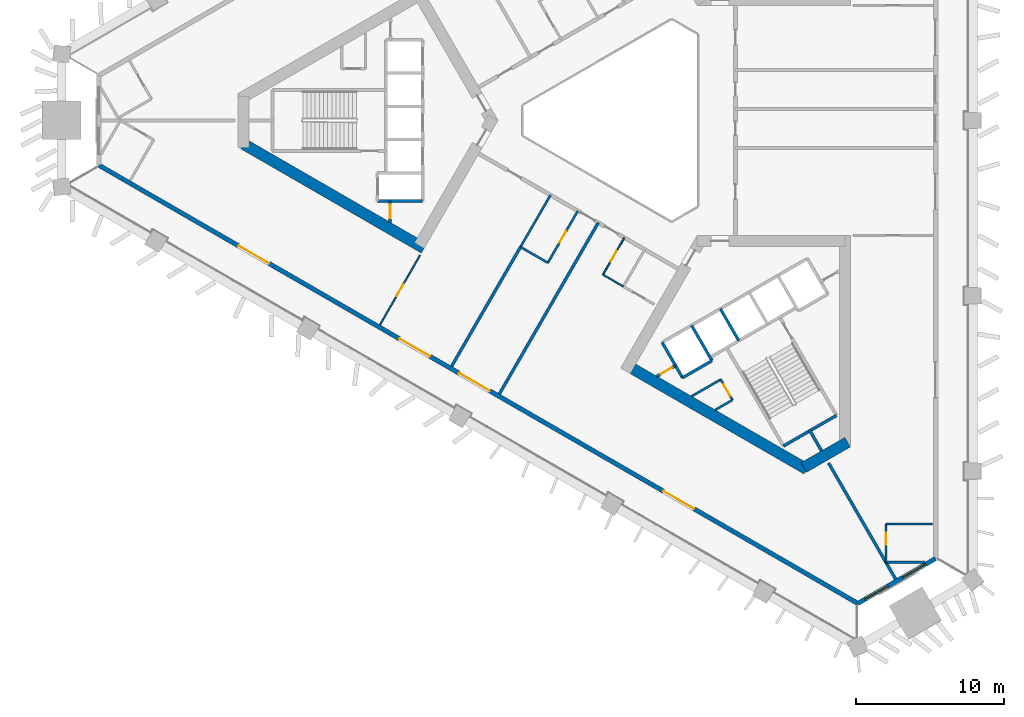
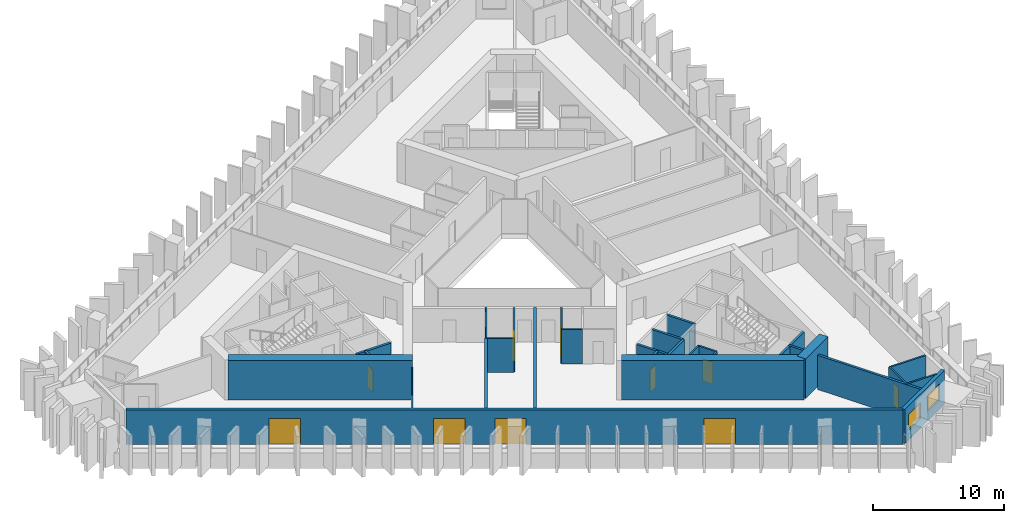
# One storey, part 2 of 10: 29 walls, 11 doors, 2 windows, 13 openings.
"""IFC4 building model written with IfcOpenShell, lengths in metres."""

from ifc_helpers import new_model, si_unit, direction, frame, frame_2d, origin, place, context, subcontext, project, spatial, rectangle, extrude, material, layer, layer_set, type_object, element, fill, save


model = new_model("IFC4")

# Units and contexts
model_context = context("Model", 3, precision=1e-05, world=origin(), true_north=direction((0.0, 1.0)))
body_context = subcontext(model_context, "Body", "Model", "MODEL_VIEW")
ifc_project = project(units=[si_unit("LENGTHUNIT", "METRE"), si_unit("AREAUNIT", "SQUARE_METRE"), si_unit("VOLUMEUNIT", "CUBIC_METRE"), si_unit("PLANEANGLEUNIT", "RADIAN"), si_unit("MASSUNIT", "GRAM", prefix="KILO")], contexts=[model_context])

# Site, building, storey
site_placement = place(None, origin())
site = spatial("IfcSite", under=ifc_project, at=site_placement, CompositionType="ELEMENT")
building_placement = place(site_placement, origin())
building = spatial("IfcBuilding", under=site, at=building_placement, Name="Jabali Bay Hotel Tower and Convention Centre", CompositionType="ELEMENT")
storey_placement = place(building_placement, frame((0.0, 0.0, 72.10009765625)))
storey = spatial("IfcBuildingStorey", under=building, at=storey_placement, Name="L16", CompositionType="ELEMENT", Elevation=72.10009765625)

# Wall, opening, door
ifc_material_1 = material(Name="Concrete C40", Category="concrete")
ifc_layer_1 = layer(ifc_material_1, 0.199951171875)
ifc_layer_set_1 = layer_set([ifc_layer_1], Name="Concrete C40")
wall_type_1 = type_object("IfcWallType", Name="Core partition wall 200", PredefinedType="PARTITIONING", material=ifc_layer_set_1)
wall_1_placement = place(storey_placement, frame((58.699951171875, 74.550048828125, 0.0), z_axis=(0.0, 0.0, 1.0), x_axis=(0.0, -1.0, 0.0)))
wall_1 = element("IfcWall", 1, at=wall_1_placement, inside=storey, type_object=wall_type_1, Name="Core wall 0.12 L16", PredefinedType="PARTITIONING", context=body_context, shape_type="SweptSolid", body=[
    extrude(rectangle(XDim=1.455078125, YDim=0.199951171875, at=frame_2d((0.7275390625, 0.0))), origin(), (0.0, 0.0, 1.0), 3.199951171875),
])
opening_1_placement = place(wall_1_placement, frame((0.277587890625, 0.0, 0.0)))
opening_1 = element("IfcOpeningElement", 2, at=opening_1_placement, cuts=wall_1, Name="Opening D404", PredefinedType="OPENING", context=body_context, shape_type="SweptSolid", body=[
    extrude(rectangle(XDim=0.89990234375, YDim=2.10009765625, at=frame_2d((0.449951171875, 1.050048828125))), frame((0.0, 0.1103515625, 0.0), z_axis=(0.0, -1.0, 0.0), x_axis=(1.0, 0.0, 0.0)), (0.0, 0.0, 1.0), 0.220947265625),
])
ifc_material_2 = material(Name="Fire-rated steel door", Category="steel")
door_type_1 = type_object("IfcDoorType", Name="Vestibule fire door 900 x 2100", OperationType="NOTDEFINED", PredefinedType="NOTDEFINED", material=ifc_material_2)
door_1_placement = place(opening_1_placement, origin())
door_1 = element("IfcDoor", 3, at=door_1_placement, inside=storey, type_object=door_type_1, Name="Vestibule fire door D404", OperationType="SINGLE_SWING_LEFT", OverallHeight=2.10009765625, OverallWidth=0.89990234375, PredefinedType="NOTDEFINED", context=body_context, shape_type="SweptSolid", body=[
    extrude(rectangle(XDim=0.89990234375, YDim=2.10009765625, at=frame_2d((0.449951171875, 1.050048828125))), frame((0.0, 0.02490234375, 0.0), z_axis=(0.0, -1.0, 0.0), x_axis=(1.0, 0.0, 0.0)), (0.0, 0.0, 1.0), 0.050048828125),
])
fill(opening_1, door_1)

# Wall
wall_2_placement = place(storey_placement, frame((87.090087890625, 59.0595703125, 0.0), z_axis=(0.0, 0.0, 1.0), x_axis=(0.499937194881, -0.866061661301, 0.0)))
element("IfcWall", 4, at=wall_2_placement, inside=storey, type_object=wall_type_1, Name="Core wall 2.5 L16", PredefinedType="PARTITIONING", context=body_context, shape_type="SweptSolid", body=[
    extrude(rectangle(XDim=1.673095703125, YDim=0.199951171875, at=frame_2d((0.83642578125, 0.0))), origin(), (0.0, 0.0, 1.0), 3.199951171875),
])

# Wall, opening, door
wall_3_placement = place(storey_placement, frame((76.77001953125, 62.662109375, 0.0), z_axis=(0.0, 0.0, 1.0), x_axis=(0.866054810376, 0.49994906283, 0.0)))
wall_3 = element("IfcWall", 5, at=wall_3_placement, inside=storey, type_object=wall_type_1, Name="Core wall 2.11 L16", PredefinedType="PARTITIONING", context=body_context, shape_type="SweptSolid", body=[
    extrude(rectangle(XDim=1.461181640625, YDim=0.199951171875, at=frame_2d((0.73046875, 0.0))), origin(), (0.0, 0.0, 1.0), 3.199951171875),
])
opening_2_placement = place(wall_3_placement, frame((0.280517578125, 0.0, 0.0)))
opening_2 = element("IfcOpeningElement", 6, at=opening_2_placement, cuts=wall_3, Name="Opening D417", PredefinedType="OPENING", context=body_context, shape_type="SweptSolid", body=[
    extrude(rectangle(XDim=0.89990234375, YDim=2.10009765625, at=frame_2d((0.449951171875, 1.050048828125))), frame((0.0, 0.1103515625, 0.0), z_axis=(0.0, -1.0, 0.0), x_axis=(1.0, 0.0, 0.0)), (0.0, 0.0, 1.0), 0.220947265625),
])
door_2_placement = place(opening_2_placement, origin())
door_2 = element("IfcDoor", 7, at=door_2_placement, inside=storey, type_object=door_type_1, Name="Vestibule fire door D417", OperationType="SINGLE_SWING_LEFT", OverallHeight=2.10009765625, OverallWidth=0.89990234375, PredefinedType="NOTDEFINED", context=body_context, shape_type="SweptSolid", body=[
    extrude(rectangle(XDim=0.89990234375, YDim=2.10009765625, at=frame_2d((0.449951171875, 1.050048828125))), frame((0.0, 0.02490234375, 0.0), z_axis=(0.0, -1.0, 0.0), x_axis=(1.0, 0.0, 0.0)), (0.0, 0.0, 1.0), 0.050048828125),
])
fill(opening_2, door_2)

ifc_material_3 = material(Name="Fire-rated board partition")
ifc_layer_2 = layer(ifc_material_3, 0.14990234375)
ifc_layer_set_2 = layer_set([ifc_layer_2], Name="Fire-rated board partition")
wall_type_2 = type_object("IfcWallType", Name="Core room partition 150", PredefinedType="PARTITIONING", material=ifc_layer_set_2)
wall_4_placement = place(storey_placement, frame((81.093994140625, 62.445068359375, 0.0), z_axis=(0.0, 0.0, 1.0), x_axis=(0.499880961361, -0.866094119867, 0.0)))
wall_4 = element("IfcWall", 8, at=wall_4_placement, inside=storey, type_object=wall_type_2, Name="Core wall 2.1 L16", PredefinedType="PARTITIONING", context=body_context, shape_type="SweptSolid", body=[
    extrude(rectangle(XDim=1.60009765625, YDim=0.14990234375, at=frame_2d((0.800048828125, 0.0))), origin(), (0.0, 0.0, 1.0), 3.199951171875),
])
opening_3_placement = place(wall_4_placement, frame((0.387451171875, 0.0, 0.0)))
opening_3 = element("IfcOpeningElement", 9, at=opening_3_placement, cuts=wall_4, Name="Opening D419", PredefinedType="OPENING", context=body_context, shape_type="SweptSolid", body=[
    extrude(rectangle(XDim=0.89990234375, YDim=2.10009765625, at=frame_2d((0.449951171875, 1.050048828125))), frame((0.0, 0.08544921875, 0.0), z_axis=(0.0, -1.0, 0.0), x_axis=(1.0, 0.0, 0.0)), (0.0, 0.0, 1.0), 0.1708984375),
])
door_type_2 = type_object("IfcDoorType", Name="Core room door 900 x 2100", OperationType="NOTDEFINED", PredefinedType="NOTDEFINED", material=ifc_material_2)
door_3_placement = place(opening_3_placement, origin())
door_3 = element("IfcDoor", 10, at=door_3_placement, inside=storey, type_object=door_type_2, Name="Core room door D419", OperationType="SINGLE_SWING_LEFT", OverallHeight=2.10009765625, OverallWidth=0.89990234375, PredefinedType="NOTDEFINED", context=body_context, shape_type="SweptSolid", body=[
    extrude(rectangle(XDim=0.89990234375, YDim=2.10009765625, at=frame_2d((0.449951171875, 1.050048828125))), frame((0.0, 0.02490234375, 0.0), z_axis=(0.0, -1.0, 0.0), x_axis=(1.0, 0.0, 0.0)), (0.0, 0.0, 1.0), 0.050048828125),
])
fill(opening_3, door_3)

# Walls
wall_5_placement = place(storey_placement, frame((79.119873046875, 61.305419921875, 0.0), z_axis=(0.0, 0.0, 1.0), x_axis=(0.866046471269, 0.499963508271, 0.0)))
element("IfcWall", 11, at=wall_5_placement, inside=storey, type_object=wall_type_2, Name="Core wall 2.16 L16", PredefinedType="PARTITIONING", context=body_context, shape_type="SweptSolid", body=[
    extrude(rectangle(XDim=2.279541015625, YDim=0.14990234375, at=frame_2d((1.1396484375, 0.0))), origin(), (0.0, 0.0, 1.0), 3.199951171875),
])
wall_6_placement = place(storey_placement, frame((80.719970703125, 60.381591796875, 0.0), z_axis=(0.0, 0.0, 1.0), x_axis=(0.866017611601, 0.500013496215, 0.0)))
element("IfcWall", 12, at=wall_6_placement, inside=storey, type_object=wall_type_2, Name="Core wall 2.17 L16", PredefinedType="PARTITIONING", context=body_context, shape_type="SweptSolid", body=[
    extrude(rectangle(XDim=1.35546875, YDim=0.14990234375, at=frame_2d((0.677734375, 0.0))), origin(), (0.0, 0.0, 1.0), 3.199951171875),
])
ifc_layer_3 = layer(ifc_material_1, 0.199951171875)
ifc_layer_set_3 = layer_set([ifc_layer_3], Name="Concrete C40")
wall_type_3 = type_object("IfcWallType", Name="Core stair wall 200", PredefinedType="SOLIDWALL", material=ifc_layer_set_3)
wall_7_placement = place(storey_placement, frame((60.89990234375, 74.550048828125, 0.0), z_axis=(0.0, 0.0, 1.0), x_axis=(-1.0, 0.0, 0.0)))
element("IfcWall", 13, at=wall_7_placement, inside=storey, type_object=wall_type_3, Name="Core wall 0.9 L16", PredefinedType="SOLIDWALL", context=body_context, shape_type="SweptSolid", body=[
    extrude(rectangle(XDim=3.0498046875, YDim=0.199951171875, at=frame_2d((1.52490234375, 0.0))), origin(), (0.0, 0.0, 1.0), 3.199951171875),
])
for number, where, z_axis, x_axis, name in (
    (14, (77.13525390625, 64.95166015625, 0.0), (0.0, 0.0, 1.0), (0.499996545922, -0.866027397988, 0.0), "Core wall 2.0 L16"),
    (15, (79.127197265625, 66.1015625, 0.0), (0.0, 0.0, 1.0), (0.499996545922, -0.866027397988, 0.0), "Core wall 2.2 L16"),
):
    element("IfcWall", number, at=place(storey_placement, frame(where, z_axis=z_axis, x_axis=x_axis)), inside=storey, type_object=wall_type_3, Name=name, PredefinedType="SOLIDWALL", context=body_context, shape_type="SweptSolid", body=[
        extrude(rectangle(XDim=2.75, YDim=0.199951171875, at=frame_2d((1.375, 0.0))), origin(), (0.0, 0.0, 1.0), 3.199951171875),
    ])
wall_8_placement = place(storey_placement, frame((81.07568359375, 67.2265625, 0.0), z_axis=(0.0, 0.0, 1.0), x_axis=(0.50000366821, -0.866023285932, 0.0)))
element("IfcWall", 16, at=wall_8_placement, inside=storey, type_object=wall_type_3, Name="Core wall 2.4 L16", PredefinedType="SOLIDWALL", context=body_context, shape_type="SweptSolid", body=[
    extrude(rectangle(XDim=2.47998046875, YDim=0.199951171875, at=frame_2d((1.239990234375, 0.0))), origin(), (0.0, 0.0, 1.0), 3.199951171875),
])
wall_9_placement = place(storey_placement, frame((78.51025390625, 62.570068359375, 0.0), z_axis=(0.0, 0.0, 1.0), x_axis=(0.866053019151, 0.499952165731, 0.0)))
element("IfcWall", 17, at=wall_9_placement, inside=storey, type_object=wall_type_3, Name="Core wall 2.14 L16", PredefinedType="SOLIDWALL", context=body_context, shape_type="SweptSolid", body=[
    extrude(rectangle(XDim=2.300048828125, YDim=0.199951171875, at=frame_2d((1.14990234375, 0.0))), origin(), (0.0, 0.0, 1.0), 3.199951171875),
])
wall_10_placement = place(storey_placement, frame((85.343017578125, 57.935302734375, 0.0), z_axis=(0.0, 0.0, 1.0), x_axis=(0.866004344652, 0.500036473714, 0.0)))
element("IfcWall", 18, at=wall_10_placement, inside=storey, type_object=wall_type_3, Name="Core wall 2.18 L16", PredefinedType="SOLIDWALL", context=body_context, shape_type="SweptSolid", body=[
    extrude(rectangle(XDim=4.150146484375, YDim=0.199951171875, at=frame_2d((2.0751953125, 0.0))), origin(), (0.0, 0.0, 1.0), 3.199951171875),
])
ifc_material_4 = material(Name="Concrete C60", Category="concrete")
ifc_layer_4 = layer(ifc_material_4, 0.75)
ifc_layer_set_4 = layer_set([ifc_layer_4], Name="Concrete C60")
wall_type_4 = type_object("IfcWallType", Name="Core wall 750", PredefinedType="SHEAR", material=ifc_layer_set_4)
wall_11_placement = place(storey_placement, frame((48.77197265625, 78.393798828125, 0.0), z_axis=(0.0, 0.0, 1.0), x_axis=(0.866028339916, -0.499994914436, 0.0)))
element("IfcWall", 19, at=wall_11_placement, inside=storey, type_object=wall_type_4, Name="Core wall 1.4 L16", PredefinedType="SHEAR", context=body_context, shape_type="SweptSolid", body=[
    extrude(rectangle(XDim=14.116943359375, YDim=0.75, at=frame_2d((7.05859375, 0.0))), origin(), (0.0, 0.0, 1.0), 3.699951171875),
])
wall_12_placement = place(storey_placement, frame((74.822265625, 63.353759765625, 0.0), z_axis=(0.0, 0.0, 1.0), x_axis=(0.8660248072, -0.500001033313, 0.0)))
element("IfcWall", 20, at=wall_12_placement, inside=storey, type_object=wall_type_4, Name="Core wall 3.2 L16", PredefinedType="SHEAR", context=body_context, shape_type="SweptSolid", body=[
    extrude(rectangle(XDim=13.95849609375, YDim=0.75, at=frame_2d((6.979248046875, 0.0))), origin(), (0.0, 0.0, 1.0), 3.699951171875),
])
wall_13_placement = place(storey_placement, frame((86.72314453125, 56.482666015625, 0.0), z_axis=(0.0, 0.0, 1.0), x_axis=(0.866017201164, 0.500014207086, 0.0)))
element("IfcWall", 21, at=wall_13_placement, inside=storey, type_object=wall_type_4, Name="Core wall 3.3 L16", PredefinedType="SHEAR", context=body_context, shape_type="SweptSolid", body=[
    extrude(rectangle(XDim=3.4287109375, YDim=0.75, at=frame_2d((1.71435546875, 0.0))), origin(), (0.0, 0.0, 1.0), 3.699951171875),
])

# Wall, openings, windows
ifc_layer_5 = layer(ifc_material_1, 0.300048828125)
ifc_layer_set_5 = layer_set([ifc_layer_5], Name="Concrete C40")
wall_type_5 = type_object("IfcWallType", Name="External wall 300", PredefinedType="SOLIDWALL", material=ifc_layer_set_5)
wall_14_placement = place(storey_placement, frame((95.650146484375, 50.309326171875, 0.0), z_axis=(0.0, 0.0, 1.0), x_axis=(-0.866039061512, -0.499976343375, 0.0)))
wall_14 = element("IfcWall", 22, at=wall_14_placement, inside=storey, type_object=wall_type_5, Name="External wall south-east chamfer L16", PredefinedType="SOLIDWALL", context=body_context, shape_type="SweptSolid", body=[
    extrude(rectangle(XDim=6.076416015625, YDim=0.300048828125, at=frame_2d((3.0380859375, 0.0))), origin(), (0.0, 0.0, 1.0), 3.199951171875),
])
opening_4_placement = place(wall_14_placement, frame((0.737548828125, 0.0, 0.89990234375)))
opening_4 = element("IfcOpeningElement", 23, at=opening_4_placement, cuts=wall_14, Name="Opening W1", PredefinedType="OPENING", context=body_context, shape_type="SweptSolid", body=[
    extrude(rectangle(XDim=1.800048828125, YDim=1.5, at=frame_2d((0.89990234375, 0.75))), frame((0.0, 0.16064453125, 0.0), z_axis=(0.0, -1.0, 0.0), x_axis=(1.0, 0.0, 0.0)), (0.0, 0.0, 1.0), 0.321044921875),
])
opening_5_placement = place(wall_14_placement, frame((3.699951171875, 0.0, 0.89990234375)))
opening_5 = element("IfcOpeningElement", 24, at=opening_5_placement, cuts=wall_14, Name="Opening W1", PredefinedType="OPENING", context=body_context, shape_type="SweptSolid", body=[
    extrude(rectangle(XDim=1.800048828125, YDim=1.5, at=frame_2d((0.89990234375, 0.75))), frame((0.0, 0.16064453125, 0.0), z_axis=(0.0, -1.0, 0.0), x_axis=(1.0, 0.0, 0.0)), (0.0, 0.0, 1.0), 0.321044921875),
])
ifc_material_5 = material(Name="Glass", Category="glass")
window_type = type_object("IfcWindowType", Name="Window 1800 x 1500", PartitioningType="SINGLE_PANEL", PredefinedType="WINDOW", material=ifc_material_5)
window_1_placement = place(opening_4_placement, origin())
window_1 = element("IfcWindow", 25, at=window_1_placement, inside=storey, type_object=window_type, Name="Window 1601", OverallHeight=1.5, OverallWidth=1.800048828125, PartitioningType="SINGLE_PANEL", PredefinedType="WINDOW", context=body_context, shape_type="SweptSolid", body=[
    extrude(rectangle(XDim=1.800048828125, YDim=1.5, at=frame_2d((0.89990234375, 0.75))), frame((0.0, 0.030029296875, 0.0), z_axis=(0.0, -1.0, 0.0), x_axis=(1.0, 0.0, 0.0)), (0.0, 0.0, 1.0), 0.06005859375),
])
fill(opening_4, window_1)
window_2_placement = place(opening_5_placement, origin())
window_2 = element("IfcWindow", 26, at=window_2_placement, inside=storey, type_object=window_type, Name="Window 1610", OverallHeight=1.5, OverallWidth=1.800048828125, PartitioningType="SINGLE_PANEL", PredefinedType="WINDOW", context=body_context, shape_type="SweptSolid", body=[
    extrude(rectangle(XDim=1.800048828125, YDim=1.5, at=frame_2d((0.89990234375, 0.75))), frame((0.0, 0.030029296875, 0.0), z_axis=(0.0, -1.0, 0.0), x_axis=(1.0, 0.0, 0.0)), (0.0, 0.0, 1.0), 0.06005859375),
])
fill(opening_5, window_2)

# Wall, openings, doors
wall_15_placement = place(storey_placement, frame((90.3876953125, 47.271240234375, 0.0), z_axis=(0.0, 0.0, 1.0), x_axis=(-0.866024483997, 0.500001593116, 0.0)))
wall_15 = element("IfcWall", 27, at=wall_15_placement, inside=storey, type_object=wall_type_5, Name="External wall south-west face L16", PredefinedType="SOLIDWALL", context=body_context, shape_type="SweptSolid", body=[
    extrude(rectangle(XDim=59.381103515625, YDim=0.300048828125, at=frame_2d((29.6904296875, 0.0))), origin(), (0.0, 0.0, 1.0), 3.199951171875),
])
opening_6_placement = place(wall_15_placement, frame((28.80224609375, 0.0, 0.0)))
opening_6 = element("IfcOpeningElement", 28, at=opening_6_placement, cuts=wall_15, Name="Opening SD1", PredefinedType="OPENING", context=body_context, shape_type="SweptSolid", body=[
    extrude(rectangle(XDim=2.39990234375, YDim=2.39990234375, at=frame_2d((1.199951171875, 1.199951171875))), frame((0.0, 0.16064453125, 0.0), z_axis=(0.0, -1.0, 0.0), x_axis=(1.0, 0.0, 0.0)), (0.0, 0.0, 1.0), 0.321044921875),
])
opening_7_placement = place(wall_15_placement, frame((33.478759765625, 0.0, 0.0)))
opening_7 = element("IfcOpeningElement", 29, at=opening_7_placement, cuts=wall_15, Name="Opening SD1", PredefinedType="OPENING", context=body_context, shape_type="SweptSolid", body=[
    extrude(rectangle(XDim=2.39990234375, YDim=2.39990234375, at=frame_2d((1.199951171875, 1.199951171875))), frame((0.0, 0.16064453125, 0.0), z_axis=(0.0, -1.0, 0.0), x_axis=(1.0, 0.0, 0.0)), (0.0, 0.0, 1.0), 0.321044921875),
])
opening_8_placement = place(wall_15_placement, frame((46.06640625, 0.0, 0.0)))
opening_8 = element("IfcOpeningElement", 30, at=opening_8_placement, cuts=wall_15, Name="Opening SD1", PredefinedType="OPENING", context=body_context, shape_type="SweptSolid", body=[
    extrude(rectangle(XDim=2.39990234375, YDim=2.39990234375, at=frame_2d((1.199951171875, 1.199951171875))), frame((0.0, 0.16064453125, 0.0), z_axis=(0.0, -1.0, 0.0), x_axis=(1.0, 0.0, 0.0)), (0.0, 0.0, 1.0), 0.321044921875),
])
opening_9_placement = place(wall_15_placement, frame((12.822509765625, 0.0, 0.0)))
opening_9 = element("IfcOpeningElement", 31, at=opening_9_placement, cuts=wall_15, Name="Opening SD1", PredefinedType="OPENING", context=body_context, shape_type="SweptSolid", body=[
    extrude(rectangle(XDim=2.39990234375, YDim=2.39990234375, at=frame_2d((1.199951171875, 1.199951171875))), frame((0.0, 0.16064453125, 0.0), z_axis=(0.0, -1.0, 0.0), x_axis=(1.0, 0.0, 0.0)), (0.0, 0.0, 1.0), 0.321044921875),
])
door_type_3 = type_object("IfcDoorType", Name="Loggia sliding door 2400 x 2400", OperationType="NOTDEFINED", PredefinedType="NOTDEFINED", material=ifc_material_5)
door_4_placement = place(opening_6_placement, origin())
door_4 = element("IfcDoor", 32, at=door_4_placement, inside=storey, type_object=door_type_3, Name="Loggia sliding door 1609", OperationType="SLIDING_TO_LEFT", OverallHeight=2.39990234375, OverallWidth=2.39990234375, PredefinedType="NOTDEFINED", context=body_context, shape_type="SweptSolid", body=[
    extrude(rectangle(XDim=2.39990234375, YDim=2.39990234375, at=frame_2d((1.199951171875, 1.199951171875))), frame((0.0, 0.02490234375, 0.0), z_axis=(0.0, -1.0, 0.0), x_axis=(1.0, 0.0, 0.0)), (0.0, 0.0, 1.0), 0.050048828125),
])
fill(opening_6, door_4)
door_5_placement = place(opening_7_placement, origin())
door_5 = element("IfcDoor", 33, at=door_5_placement, inside=storey, type_object=door_type_3, Name="Loggia sliding door 1608", OperationType="SLIDING_TO_RIGHT", OverallHeight=2.39990234375, OverallWidth=2.39990234375, PredefinedType="NOTDEFINED", context=body_context, shape_type="SweptSolid", body=[
    extrude(rectangle(XDim=2.39990234375, YDim=2.39990234375, at=frame_2d((1.199951171875, 1.199951171875))), frame((0.0, 0.02490234375, 0.0), z_axis=(0.0, -1.0, 0.0), x_axis=(1.0, 0.0, 0.0)), (0.0, 0.0, 1.0), 0.050048828125),
])
fill(opening_7, door_5)
door_6_placement = place(opening_8_placement, origin())
door_6 = element("IfcDoor", 34, at=door_6_placement, inside=storey, type_object=door_type_3, Name="Loggia sliding door 1608", OperationType="SLIDING_TO_LEFT", OverallHeight=2.39990234375, OverallWidth=2.39990234375, PredefinedType="NOTDEFINED", context=body_context, shape_type="SweptSolid", body=[
    extrude(rectangle(XDim=2.39990234375, YDim=2.39990234375, at=frame_2d((1.199951171875, 1.199951171875))), frame((0.0, 0.02490234375, 0.0), z_axis=(0.0, -1.0, 0.0), x_axis=(1.0, 0.0, 0.0)), (0.0, 0.0, 1.0), 0.050048828125),
])
fill(opening_8, door_6)
door_7_placement = place(opening_9_placement, origin())
door_7 = element("IfcDoor", 35, at=door_7_placement, inside=storey, type_object=door_type_3, Name="Loggia sliding door 1610", OperationType="SLIDING_TO_RIGHT", OverallHeight=2.39990234375, OverallWidth=2.39990234375, PredefinedType="NOTDEFINED", context=body_context, shape_type="SweptSolid", body=[
    extrude(rectangle(XDim=2.39990234375, YDim=2.39990234375, at=frame_2d((1.199951171875, 1.199951171875))), frame((0.0, 0.02490234375, 0.0), z_axis=(0.0, -1.0, 0.0), x_axis=(1.0, 0.0, 0.0)), (0.0, 0.0, 1.0), 0.050048828125),
])
fill(opening_9, door_7)

# Wall, opening, door
ifc_material_6 = material(Name="Plasterboard on steel stud", Category="steel")
ifc_layer_6 = layer(ifc_material_6, 0.10009765625)
ifc_layer_set_6 = layer_set([ifc_layer_6], Name="Plasterboard on steel stud")
wall_type_6 = type_object("IfcWallType", Name="Partition 100 unit", PredefinedType="PARTITIONING", material=ifc_layer_set_6)
wall_16_placement = place(storey_placement, frame((60.71044921875, 70.83837890625, 0.0), z_axis=(0.0, 0.0, 1.0), x_axis=(-0.499974500895, -0.866040125199, 0.0)))
wall_16 = element("IfcWall", 36, at=wall_16_placement, inside=storey, type_object=wall_type_6, Name="Partition P02 L16 028", PredefinedType="PARTITIONING", context=body_context, shape_type="SweptSolid", body=[
    extrude(rectangle(XDim=5.422119140625, YDim=0.10009765625, at=frame_2d((2.7109375, 0.0))), origin(), (0.0, 0.0, 1.0), 3.199951171875),
])
opening_10_placement = place(wall_16_placement, frame((2.260986328125, 0.0, 0.0)))
opening_10 = element("IfcOpeningElement", 37, at=opening_10_placement, cuts=wall_16, Name="Opening 1618", PredefinedType="OPENING", context=body_context, shape_type="SweptSolid", body=[
    extrude(rectangle(XDim=0.89990234375, YDim=2.10009765625, at=frame_2d((0.449951171875, 1.050048828125))), frame((0.0, 0.060546875, 0.0), z_axis=(0.0, -1.0, 0.0), x_axis=(1.0, 0.0, 0.0)), (0.0, 0.0, 1.0), 0.12109375),
])
ifc_material_7 = material(Name="Timber", Category="wood")
door_type_4 = type_object("IfcDoorType", Name="Internal door 900 x 2100", OperationType="NOTDEFINED", PredefinedType="NOTDEFINED", material=ifc_material_7)
door_8_placement = place(opening_10_placement, origin())
door_8 = element("IfcDoor", 38, at=door_8_placement, inside=storey, type_object=door_type_4, Name="Door 1618", OperationType="SINGLE_SWING_LEFT", OverallHeight=2.10009765625, OverallWidth=0.89990234375, PredefinedType="NOTDEFINED", context=body_context, shape_type="SweptSolid", body=[
    extrude(rectangle(XDim=0.89990234375, YDim=2.10009765625, at=frame_2d((0.449951171875, 1.050048828125))), frame((0.0, 0.02490234375, 0.0), z_axis=(0.0, -1.0, 0.0), x_axis=(1.0, 0.0, 0.0)), (0.0, 0.0, 1.0), 0.050048828125),
])
fill(opening_10, door_8)

# Wall
wall_17_placement = place(storey_placement, frame((74.498291015625, 68.74267578125, 0.0), z_axis=(0.0, 0.0, 1.0), x_axis=(-0.865989903783, 0.500061482766, 0.0)))
element("IfcWall", 39, at=wall_17_placement, inside=storey, type_object=wall_type_6, Name="Partition P02 L16 038", PredefinedType="PARTITIONING", context=body_context, shape_type="SweptSolid", body=[
    extrude(rectangle(XDim=1.599853515625, YDim=0.10009765625, at=frame_2d((0.7998046875, 0.0))), origin(), (0.0, 0.0, 1.0), 3.199951171875),
])

# Wall, opening, door
wall_18_placement = place(storey_placement, frame((73.11279296875, 69.542724609375, 0.0), z_axis=(0.0, 0.0, 1.0), x_axis=(0.499987231761, 0.866032775405, 0.0)))
wall_18 = element("IfcWall", 40, at=wall_18_placement, inside=storey, type_object=wall_type_6, Name="Partition P02 L16 039", PredefinedType="PARTITIONING", context=body_context, shape_type="SweptSolid", body=[
    extrude(rectangle(XDim=2.89990234375, YDim=0.10009765625, at=frame_2d((1.449951171875, 0.0))), origin(), (0.0, 0.0, 1.0), 3.199951171875),
])
opening_11_placement = place(wall_18_placement, frame((1.050048828125, 0.0, 0.0)))
opening_11 = element("IfcOpeningElement", 41, at=opening_11_placement, cuts=wall_18, Name="Opening 1623", PredefinedType="OPENING", context=body_context, shape_type="SweptSolid", body=[
    extrude(rectangle(XDim=0.800048828125, YDim=2.10009765625, at=frame_2d((0.39990234375, 1.050048828125))), frame((0.0, 0.060546875, 0.0), z_axis=(0.0, -1.0, 0.0), x_axis=(1.0, 0.0, 0.0)), (0.0, 0.0, 1.0), 0.12109375),
])
door_type_5 = type_object("IfcDoorType", Name="Dressing room door 800 x 2100", OperationType="NOTDEFINED", PredefinedType="NOTDEFINED", material=ifc_material_7)
door_9_placement = place(opening_11_placement, origin())
door_9 = element("IfcDoor", 42, at=door_9_placement, inside=storey, type_object=door_type_5, Name="Door 1623", OperationType="SINGLE_SWING_RIGHT", OverallHeight=2.10009765625, OverallWidth=0.800048828125, PredefinedType="NOTDEFINED", context=body_context, shape_type="SweptSolid", body=[
    extrude(rectangle(XDim=0.800048828125, YDim=2.10009765625, at=frame_2d((0.39990234375, 1.050048828125))), frame((0.0, 0.02490234375, 0.0), z_axis=(0.0, -1.0, 0.0), x_axis=(1.0, 0.0, 0.0)), (0.0, 0.0, 1.0), 0.050048828125),
])
fill(opening_11, door_9)

# Wall
ifc_layer_7 = layer(ifc_material_6, 0.14990234375)
ifc_layer_set_7 = layer_set([ifc_layer_7], Name="Plasterboard on steel stud")
wall_type_7 = type_object("IfcWallType", Name="Partition 150 wet", PredefinedType="PARTITIONING", material=ifc_layer_set_7)
wall_19_placement = place(storey_placement, frame((94.93603515625, 50.069091796875, 0.0), z_axis=(0.0, 0.0, 1.0), x_axis=(-0.999994740078, -0.00324342655, 0.0)))
element("IfcWall", 43, at=wall_19_placement, inside=storey, type_object=wall_type_7, Name="Partition P03 L16 003", PredefinedType="PARTITIONING", context=body_context, shape_type="SweptSolid", body=[
    extrude(rectangle(XDim=2.634521484375, YDim=0.14990234375, at=frame_2d((1.3173828125, 0.0))), origin(), (0.0, 0.0, 1.0), 3.199951171875),
])

# Wall, opening, door
wall_20_placement = place(storey_placement, frame((92.301513671875, 50.060546875, 0.0), z_axis=(0.0, 0.0, 1.0), x_axis=(0.0, 1.0, 0.0)))
wall_20 = element("IfcWall", 44, at=wall_20_placement, inside=storey, type_object=wall_type_7, Name="Partition P03 L16 004", PredefinedType="PARTITIONING", context=body_context, shape_type="SweptSolid", body=[
    extrude(rectangle(XDim=2.599853515625, YDim=0.14990234375, at=frame_2d((1.2998046875, 0.0))), origin(), (0.0, 0.0, 1.0), 3.199951171875),
])
opening_12_placement = place(wall_20_placement, frame((1.199951171875, 0.0, 0.0)))
opening_12 = element("IfcOpeningElement", 45, at=opening_12_placement, cuts=wall_20, Name="Opening 1603", PredefinedType="OPENING", context=body_context, shape_type="SweptSolid", body=[
    extrude(rectangle(XDim=0.800048828125, YDim=2.10009765625, at=frame_2d((0.39990234375, 1.050048828125))), frame((0.0, 0.08544921875, 0.0), z_axis=(0.0, -1.0, 0.0), x_axis=(1.0, 0.0, 0.0)), (0.0, 0.0, 1.0), 0.1708984375),
])
door_type_6 = type_object("IfcDoorType", Name="En-suite door 800 x 2100", OperationType="NOTDEFINED", PredefinedType="NOTDEFINED", material=ifc_material_7)
door_10_placement = place(opening_12_placement, origin())
door_10 = element("IfcDoor", 46, at=door_10_placement, inside=storey, type_object=door_type_6, Name="Door 1603", OperationType="SINGLE_SWING_RIGHT", OverallHeight=2.10009765625, OverallWidth=0.800048828125, PredefinedType="NOTDEFINED", context=body_context, shape_type="SweptSolid", body=[
    extrude(rectangle(XDim=0.800048828125, YDim=2.10009765625, at=frame_2d((0.39990234375, 1.050048828125))), frame((0.0, 0.02490234375, 0.0), z_axis=(0.0, -1.0, 0.0), x_axis=(1.0, 0.0, 0.0)), (0.0, 0.0, 1.0), 0.050048828125),
])
fill(opening_12, door_10)

# Walls
wall_21_placement = place(storey_placement, frame((92.301513671875, 52.660400390625, 0.0), z_axis=(0.0, 0.0, 1.0), x_axis=(1.0, 0.0, 0.0)))
element("IfcWall", 47, at=wall_21_placement, inside=storey, type_object=wall_type_7, Name="Partition P03 L16 005", PredefinedType="PARTITIONING", context=body_context, shape_type="SweptSolid", body=[
    extrude(rectangle(XDim=3.158447265625, YDim=0.14990234375, at=frame_2d((1.5791015625, 0.0))), origin(), (0.0, 0.0, 1.0), 3.199951171875),
])
wall_22_placement = place(storey_placement, frame((67.528564453125, 71.423583984375, 0.0), z_axis=(0.0, 0.0, 1.0), x_axis=(0.499984252764, 0.866034495264, 0.0)))
element("IfcWall", 48, at=wall_22_placement, inside=storey, type_object=wall_type_7, Name="Partition P03 L16 030", PredefinedType="PARTITIONING", context=body_context, shape_type="SweptSolid", body=[
    extrude(rectangle(XDim=4.063232421875, YDim=0.14990234375, at=frame_2d((2.03173828125, 0.0))), origin(), (0.0, 0.0, 1.0), 3.199951171875),
])

# Wall, opening, door
wall_23_placement = place(storey_placement, frame((71.414306640625, 73.871826171875, 0.0), z_axis=(0.0, 0.0, 1.0), x_axis=(-0.499984252764, -0.866034495264, 0.0)))
wall_23 = element("IfcWall", 49, at=wall_23_placement, inside=storey, type_object=wall_type_7, Name="Partition P03 L16 034", PredefinedType="PARTITIONING", context=body_context, shape_type="SweptSolid", body=[
    extrude(rectangle(XDim=4.063232421875, YDim=0.14990234375, at=frame_2d((2.03173828125, 0.0))), origin(), (0.0, 0.0, 1.0), 3.199951171875),
])
opening_13_placement = place(wall_23_placement, frame((1.58203125, 0.0, 0.0)))
opening_13 = element("IfcOpeningElement", 50, at=opening_13_placement, cuts=wall_23, Name="Opening 1620", PredefinedType="OPENING", context=body_context, shape_type="SweptSolid", body=[
    extrude(rectangle(XDim=0.89990234375, YDim=2.10009765625, at=frame_2d((0.449951171875, 1.050048828125))), frame((0.0, 0.08544921875, 0.0), z_axis=(0.0, -1.0, 0.0), x_axis=(1.0, 0.0, 0.0)), (0.0, 0.0, 1.0), 0.1708984375),
])
door_type_7 = type_object("IfcDoorType", Name="Accessible en-suite door 900 x 2100", OperationType="NOTDEFINED", PredefinedType="NOTDEFINED", material=ifc_material_7)
door_11_placement = place(opening_13_placement, origin())
door_11 = element("IfcDoor", 51, at=door_11_placement, inside=storey, type_object=door_type_7, Name="Door 1620", OperationType="SINGLE_SWING_RIGHT", OverallHeight=2.10009765625, OverallWidth=0.89990234375, PredefinedType="NOTDEFINED", context=body_context, shape_type="SweptSolid", body=[
    extrude(rectangle(XDim=0.89990234375, YDim=2.10009765625, at=frame_2d((0.449951171875, 1.050048828125))), frame((0.0, 0.02490234375, 0.0), z_axis=(0.0, -1.0, 0.0), x_axis=(1.0, 0.0, 0.0)), (0.0, 0.0, 1.0), 0.050048828125),
])
fill(opening_13, door_11)

# Walls
wall_24_placement = place(storey_placement, frame((69.3828125, 70.35302734375, 0.0), z_axis=(0.0, 0.0, 1.0), x_axis=(-0.866024183959, 0.500002112793, 0.0)))
element("IfcWall", 52, at=wall_24_placement, inside=storey, type_object=wall_type_7, Name="Partition P03 L16 035", PredefinedType="PARTITIONING", context=body_context, shape_type="SweptSolid", body=[
    extrude(rectangle(XDim=2.14111328125, YDim=0.14990234375, at=frame_2d((1.070556640625, 0.0))), origin(), (0.0, 0.0, 1.0), 3.199951171875),
])
ifc_layer_8 = layer(ifc_material_6, 0.199951171875)
ifc_layer_set_8 = layer_set([ifc_layer_8], Name="Plasterboard on steel stud")
wall_type_8 = type_object("IfcWallType", Name="Partition 200 party", PredefinedType="PARTITIONING", material=ifc_layer_set_8)
wall_25_placement = place(storey_placement, frame((88.40185546875, 56.789306640625, 0.0), z_axis=(0.0, 0.0, 1.0), x_axis=(0.500005415952, -0.866022276861, 0.0)))
element("IfcWall", 53, at=wall_25_placement, inside=storey, type_object=wall_type_8, Name="Partition P01 L16 006", PredefinedType="PARTITIONING", context=body_context, shape_type="SweptSolid", body=[
    extrude(rectangle(XDim=9.0869140625, YDim=0.199951171875, at=frame_2d((4.54345703125, 0.0))), origin(), (0.0, 0.0, 1.0), 3.199951171875),
])
wall_26_placement = place(storey_placement, frame((62.859375, 63.336669921875, 0.0), z_axis=(0.0, 0.0, 1.0), x_axis=(0.500016660921, 0.866015784384, 0.0)))
element("IfcWall", 54, at=wall_26_placement, inside=storey, type_object=wall_type_8, Name="Partition P01 L16 029", PredefinedType="PARTITIONING", context=body_context, shape_type="SweptSolid", body=[
    extrude(rectangle(XDim=9.338134765625, YDim=0.199951171875, at=frame_2d((4.6689453125, 0.0))), origin(), (0.0, 0.0, 1.0), 3.199951171875),
])
wall_27_placement = place(storey_placement, frame((66.099365234375, 61.466064453125, 0.0), z_axis=(0.0, 0.0, 1.0), x_axis=(0.500006835139, 0.866021457479, 0.0)))
element("IfcWall", 55, at=wall_27_placement, inside=storey, type_object=wall_type_8, Name="Partition P01 L16 036", PredefinedType="PARTITIONING", context=body_context, shape_type="SweptSolid", body=[
    extrude(rectangle(XDim=13.401123046875, YDim=0.199951171875, at=frame_2d((6.70068359375, 0.0))), origin(), (0.0, 0.0, 1.0), 3.199951171875),
])

save(model, "model.ifc")
